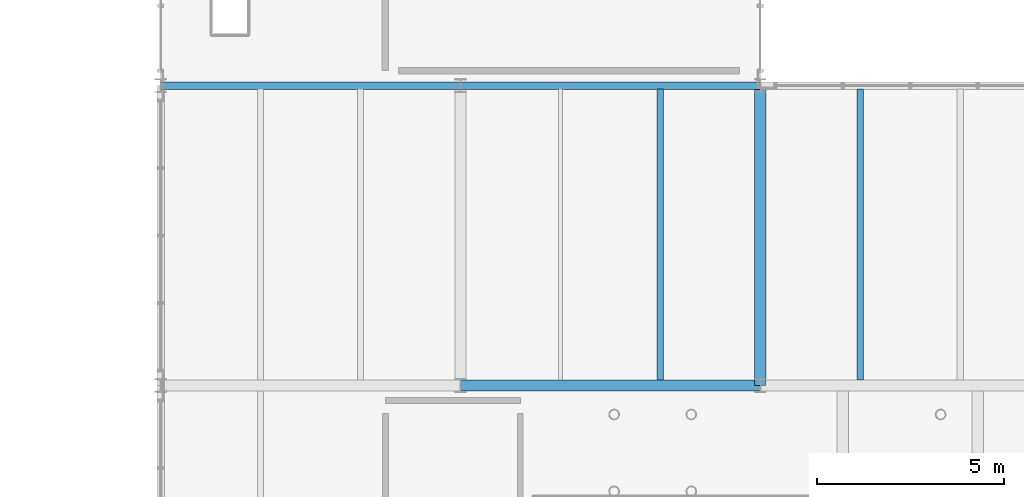
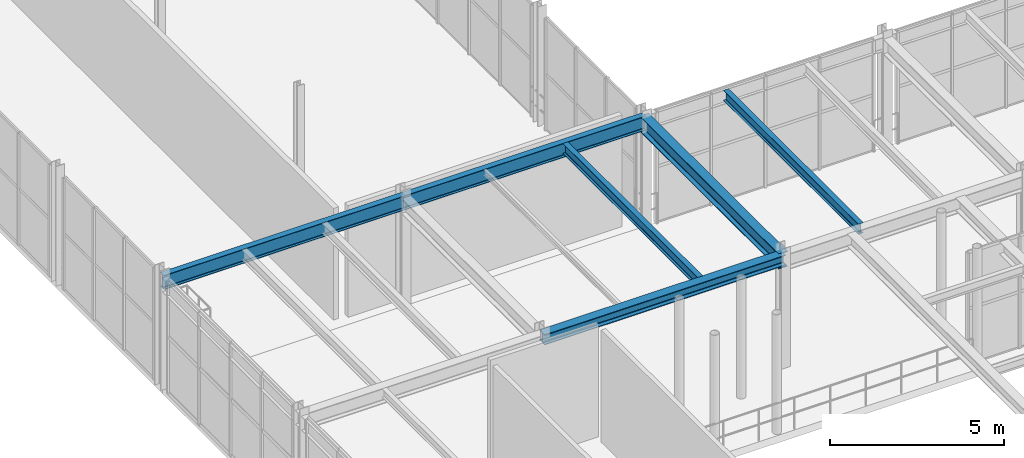
# One storey, part 33 of 122: 6 beams.
"""IFC4 building model written with IfcOpenShell, lengths in metres."""

from ifc_helpers import new_model, si_unit, direction, frame, origin, origin_2d, place, context, subcontext, project, spatial, i_section, extrude, material, material_profile, profile_set, type_object, element, save


model = new_model("IFC4")

# Units and contexts
model_context = context("Model", 3, precision=1e-05, world=origin(), true_north=direction((0.0, 1.0)))
body_context = subcontext(model_context, "Body", "Model", "MODEL_VIEW")
ifc_project = project(units=[si_unit("LENGTHUNIT", "METRE"), si_unit("AREAUNIT", "SQUARE_METRE"), si_unit("VOLUMEUNIT", "CUBIC_METRE"), si_unit("PLANEANGLEUNIT", "RADIAN"), si_unit("MASSUNIT", "GRAM", prefix="KILO")], contexts=[model_context])

# Site, building, storey
site_placement = place(None, origin())
site = spatial("IfcSite", under=ifc_project, at=site_placement, CompositionType="ELEMENT")
building_placement = place(site_placement, origin())
building = spatial("IfcBuilding", under=site, at=building_placement, Name="Sundkrona Museum", CompositionType="ELEMENT")
storey_placement = place(building_placement, frame((0.0, 0.0, 5.39990234375)))
storey = spatial("IfcBuildingStorey", under=building, at=storey_placement, Name="L01", CompositionType="ELEMENT", Elevation=5.39990234375)

# Beams
ifc_material = material(Name="Steel S355J2", Category="steel")
ifc_material_profile_1 = material_profile(ifc_material, i_section(OverallWidth=0.300048828125, OverallDepth=0.5400390625, WebThickness=0.012451171875, FlangeThickness=0.02392578125, FilletRadius=0.027099609375, at=origin_2d()), Name="HEA 550")
ifc_profile_set_1 = profile_set([ifc_material_profile_1], Name="Steel S355J2")
beam_type_1 = type_object("IfcBeamType", Name="B-HEA550", PredefinedType="BEAM", material=ifc_profile_set_1)
beam_1_placement = place(storey_placement, frame((96.0, 32.0, 3.670166015625), z_axis=(0.0, 1.0, 0.0), x_axis=(-1.0, 0.0, 0.0)))
element("IfcBeam", 1, at=beam_1_placement, inside=storey, type_object=beam_type_1, Name="L01 Girder Y-1024", PredefinedType="BEAM", context=body_context, shape_type="SweptSolid", body=[
    extrude(i_section(OverallWidth=0.300048828125, OverallDepth=0.5400390625, WebThickness=0.012451171875, FlangeThickness=0.02392578125, FilletRadius=0.027099609375, at=origin_2d()), origin(), (0.0, 0.0, 1.0), 8.0),
])
ifc_material_profile_2 = material_profile(ifc_material, i_section(OverallWidth=0.300048828125, OverallDepth=0.360107421875, WebThickness=0.012451171875, FlangeThickness=0.0224609375, FilletRadius=0.027099609375, at=origin_2d()), Name="HEB 360")
ifc_profile_set_2 = profile_set([ifc_material_profile_2], Name="Steel S355J2")
beam_type_2 = type_object("IfcBeamType", Name="B-HEB360", PredefinedType="BEAM", material=ifc_profile_set_2)
beam_2_placement = place(storey_placement, frame((88.0, 32.0, 3.760009765625), z_axis=(1.0, 0.0, 0.0), x_axis=(0.0, 1.0, 0.0)))
element("IfcBeam", 2, at=beam_2_placement, inside=storey, type_object=beam_type_2, Name="L01 Girder X-0837", PredefinedType="BEAM", context=body_context, shape_type="SweptSolid", body=[
    extrude(i_section(OverallWidth=0.300048828125, OverallDepth=0.360107421875, WebThickness=0.012451171875, FlangeThickness=0.0224609375, FilletRadius=0.027099609375, at=origin_2d()), origin(), (0.0, 0.0, 1.0), 8.0),
])
ifc_material_profile_3 = material_profile(ifc_material, i_section(OverallWidth=0.169921875, OverallDepth=0.360107421875, WebThickness=0.008056640625, FlangeThickness=0.0126953125, FilletRadius=0.01806640625, at=origin_2d()), Name="IPE 360")
ifc_profile_set_3 = profile_set([ifc_material_profile_3], Name="Steel S355J2")
beam_type_3 = type_object("IfcBeamType", Name="J-IPE360", PredefinedType="JOIST", material=ifc_profile_set_3)
for number, where, z_axis, x_axis, name in (
    (3, (93.333251953125, 32.14404296875, 3.760009765625), (0.0, 1.0, 0.0), (-1.0, 0.0, 0.0), "L01 Composite Joist 0641"),
    (4, (98.666748046875, 32.14404296875, 3.760009765625), (0.0, 1.0, 0.0), (-1.0, 0.0, 0.0), "L01 Composite Joist 0644"),
):
    element("IfcBeam", number, at=place(storey_placement, frame(where, z_axis=z_axis, x_axis=x_axis)), inside=storey, type_object=beam_type_3, Name=name, PredefinedType="JOIST", context=body_context, shape_type="SweptSolid", body=[
        extrude(i_section(OverallWidth=0.169921875, OverallDepth=0.360107421875, WebThickness=0.008056640625, FlangeThickness=0.0126953125, FilletRadius=0.01806640625, at=origin_2d()), origin(), (0.0, 0.0, 1.0), 7.761962890625),
    ])
ifc_material_profile_4 = material_profile(ifc_material, i_section(OverallWidth=0.199951171875, OverallDepth=0.5, WebThickness=0.01025390625, FlangeThickness=0.01611328125, FilletRadius=0.02099609375, at=origin_2d()), Name="IPE 500")
ifc_profile_set_4 = profile_set([ifc_material_profile_4], Name="Steel S355J2")
beam_type_4 = type_object("IfcBeamType", Name="SP-IPE500", PredefinedType="SPANDREL", material=ifc_profile_set_4)
for number, where, z_axis, x_axis, name in (
    (5, (80.0, 40.0, 3.690185546875), (1.0, 0.0, 0.0), (0.0, 1.0, 0.0), "L01 Girder X-0849"),
    (6, (88.0, 40.0, 3.690185546875), (1.0, 0.0, 0.0), (0.0, 1.0, 0.0), "L01 Girder X-0850"),
):
    element("IfcBeam", number, at=place(storey_placement, frame(where, z_axis=z_axis, x_axis=x_axis)), inside=storey, type_object=beam_type_4, Name=name, PredefinedType="SPANDREL", context=body_context, shape_type="SweptSolid", body=[
        extrude(i_section(OverallWidth=0.199951171875, OverallDepth=0.5, WebThickness=0.01025390625, FlangeThickness=0.01611328125, FilletRadius=0.02099609375, at=origin_2d()), origin(), (0.0, 0.0, 1.0), 8.0),
    ])

save(model, "model.ifc")
